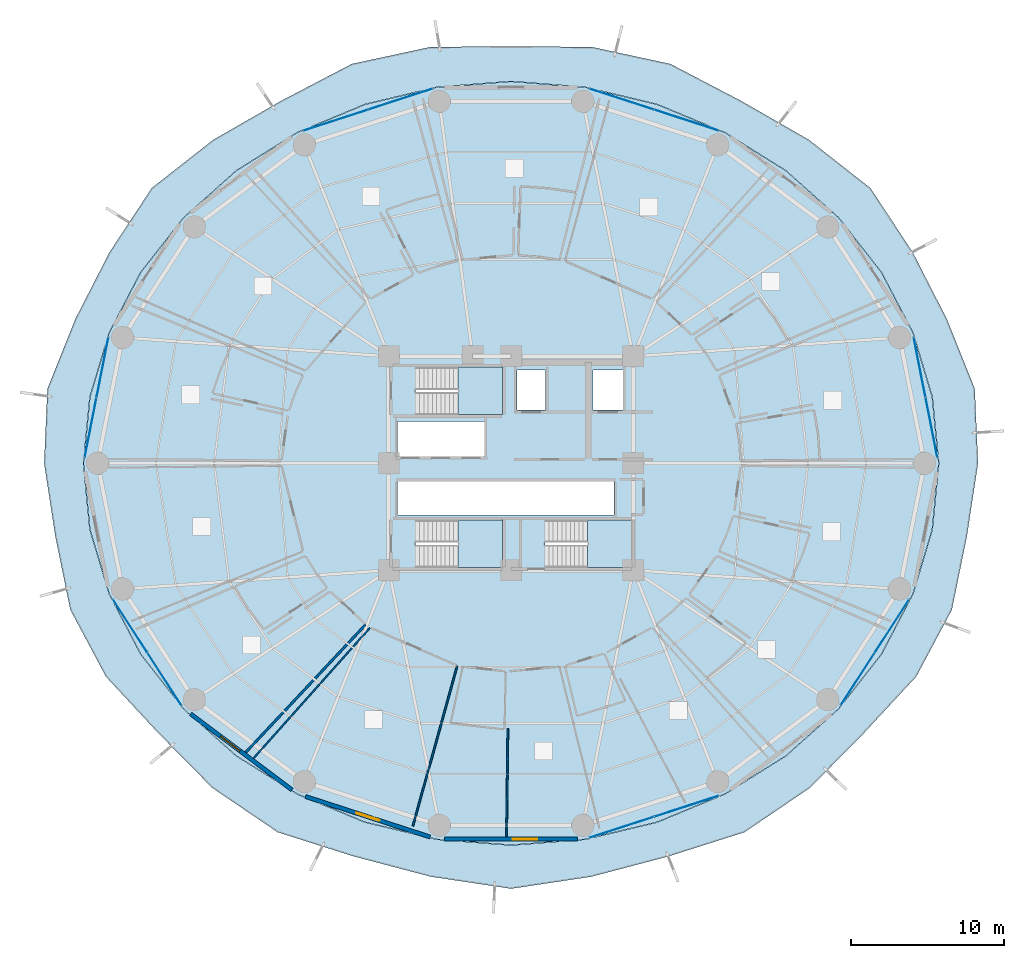
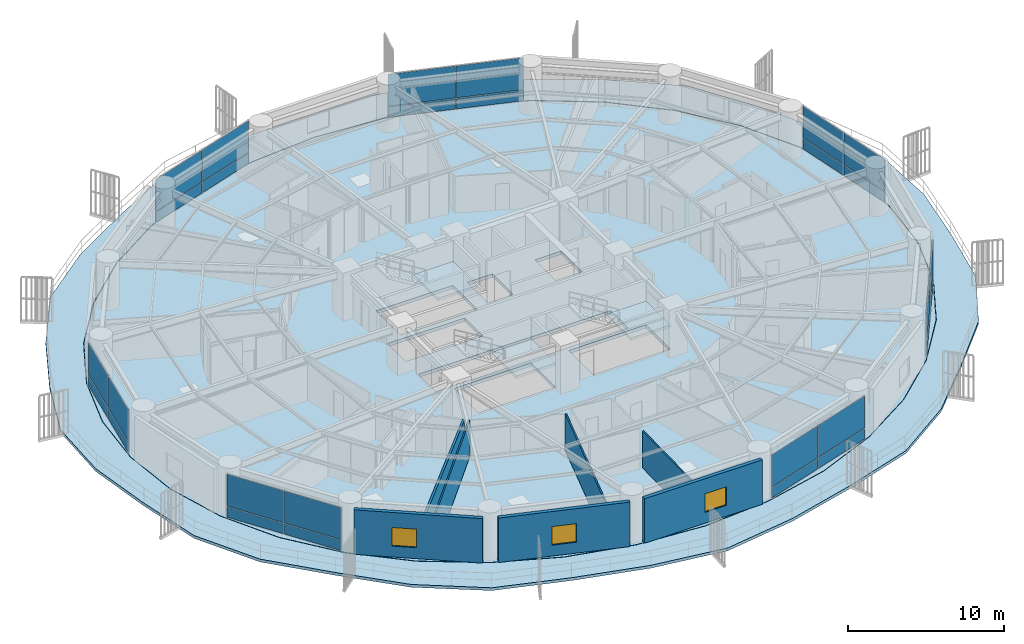
# One storey, part 23 of 33: 28 plates, 7 walls, 5 slabs, 3 windows, 3 openings, 10 elements without a shape of their own.
"""IFC4 building model written with IfcOpenShell, lengths in metres."""

from ifc_helpers import new_model, si_unit, direction, frame, frame_2d, origin, origin_2d, place, context, subcontext, project, spatial, polyline, rectangle, outline, extrude, source, transform, mapped, material, layer, layer_set, type_object, element, fill, aggregate, save


model = new_model("IFC4")

# Units and contexts
model_context = context("Model", 3, precision=1e-05, world=origin(), true_north=direction((0.0, 1.0)))
body_context = subcontext(model_context, "Body", "Model", "MODEL_VIEW")
ifc_project = project(units=[si_unit("LENGTHUNIT", "METRE"), si_unit("AREAUNIT", "SQUARE_METRE"), si_unit("VOLUMEUNIT", "CUBIC_METRE"), si_unit("PLANEANGLEUNIT", "RADIAN"), si_unit("MASSUNIT", "GRAM", prefix="KILO")], contexts=[model_context])

# Site, building, storey
site_placement = place(None, origin())
site = spatial("IfcSite", under=ifc_project, at=site_placement, CompositionType="ELEMENT")
building_placement = place(site_placement, origin())
building = spatial("IfcBuilding", under=site, at=building_placement, Name="Kelanora Arch Commons", CompositionType="ELEMENT")
storey_placement = place(building_placement, frame((0.0, 0.0, 26.25)))
storey = spatial("IfcBuildingStorey", under=building, at=storey_placement, Name="L06", CompositionType="ELEMENT", Elevation=26.25)

# Stair, slab
ifc_material_1 = material(Name="Concrete C40/50", Category="concrete")
stair_type = type_object("IfcStairType", Name="STR-DL-375", PredefinedType="HALF_TURN_STAIR", material=ifc_material_1)
stair_1_placement = place(storey_placement, origin())
stair_1 = element("IfcStair", 1, at=stair_1_placement, inside=storey, type_object=stair_type, Name="L06 ST-T1", PredefinedType="HALF_TURN_STAIR")
ifc_layer_1 = layer(ifc_material_1, 0.199951171875)
ifc_layer_set_1 = layer_set([ifc_layer_1], Name="Concrete C40/50")
slab_type_1 = type_object("IfcSlabType", Name="SLB-STAIR-LND", PredefinedType="LANDING", material=ifc_layer_set_1)
slab_1_placement = place(storey_placement, frame((0.0, 0.0, 1.675048828125)))
slab_1 = element("IfcSlab", 2, at=slab_1_placement, type_object=slab_type_1, Name="ST-T1 landing 1", PredefinedType="LANDING", context=body_context, shape_type="SweptSolid", body=[
    extrude(outline(polyline([(70.52001953125, 61.179931640625), (73.43994140625, 61.179931640625), (73.43994140625, 64.2900390625), (70.52001953125, 64.2900390625), (70.52001953125, 61.179931640625)])), origin(), (0.0, 0.0, 1.0), 0.199951171875),
])
aggregate(stair_1, [slab_1])

stair_2_placement = place(storey_placement, origin())
stair_2 = element("IfcStair", 3, at=stair_2_placement, inside=storey, type_object=stair_type, Name="L06 ST-T2", PredefinedType="HALF_TURN_STAIR")
slab_2_placement = place(storey_placement, frame((0.0, 0.0, 1.675048828125)))
slab_2 = element("IfcSlab", 4, at=slab_2_placement, type_object=slab_type_1, Name="ST-T2 landing 1", PredefinedType="LANDING", context=body_context, shape_type="SweptSolid", body=[
    extrude(outline(polyline([(79.0, 51.179931640625), (81.919921875, 51.179931640625), (81.919921875, 54.2900390625), (79.0, 54.2900390625), (79.0, 51.179931640625)])), origin(), (0.0, 0.0, 1.0), 0.199951171875),
])
aggregate(stair_2, [slab_2])

stair_3_placement = place(storey_placement, origin())
stair_3 = element("IfcStair", 5, at=stair_3_placement, inside=storey, type_object=stair_type, Name="L06 ST-T3", PredefinedType="HALF_TURN_STAIR")
slab_3_placement = place(storey_placement, frame((0.0, 0.0, 1.675048828125)))
slab_3 = element("IfcSlab", 6, at=slab_3_placement, type_object=slab_type_1, Name="ST-T3 landing 1", PredefinedType="LANDING", context=body_context, shape_type="SweptSolid", body=[
    extrude(outline(polyline([(70.52001953125, 51.179931640625), (73.43994140625, 51.179931640625), (73.43994140625, 54.2900390625), (70.52001953125, 54.2900390625), (70.52001953125, 51.179931640625)])), origin(), (0.0, 0.0, 1.0), 0.199951171875),
])
aggregate(stair_3, [slab_3])

# Slabs
ifc_layer_2 = layer(ifc_material_1, 0.260009765625)
ifc_layer_set_2 = layer_set([ifc_layer_2], Name="Concrete C40/50")
slab_type_2 = type_object("IfcSlabType", Name="SLB-TWR-TYP", PredefinedType="FLOOR", material=ifc_layer_set_2)
slab_4_placement = place(storey_placement, frame((0.0, 0.0, -0.260009765625)))
element("IfcSlab", 7, at=slab_4_placement, inside=storey, type_object=slab_type_2, Name="Tower Floor Slab L06", PredefinedType="FLOOR", context=body_context, shape_type="SweptSolid", body=[
    extrude(outline(polyline([(102.0, 58.0), (101.57470703125, 62.34130859375), (100.311279296875, 66.550537109375), (98.248779296875, 70.5), (95.44921875, 74.069580078125), (91.998046875, 77.151123046875), (88.0, 79.650634765625), (83.57666015625, 81.4921875), (78.862060546875, 82.6201171875), (74.0, 83.0), (69.137939453125, 82.6201171875), (64.42333984375, 81.4921875), (60.0, 79.650634765625), (56.001953125, 77.151123046875), (52.55078125, 74.069580078125), (49.751220703125, 70.5), (47.688720703125, 66.550537109375), (46.42529296875, 62.34130859375), (46.0, 58.0), (46.42529296875, 53.65869140625), (47.688720703125, 49.449462890625), (49.751220703125, 45.5), (52.55078125, 41.930419921875), (56.001953125, 38.848876953125), (60.0, 36.349365234375), (64.42333984375, 34.5078125), (69.137939453125, 33.3798828125), (74.0, 33.0), (78.862060546875, 33.3798828125), (83.57666015625, 34.5078125), (88.0, 36.349365234375), (91.998046875, 38.848876953125), (95.44921875, 41.930419921875), (98.248779296875, 45.5), (100.311279296875, 49.449462890625), (101.57470703125, 53.65869140625), (102.0, 58.0)]), holes=[polyline([(73.431884765625, 51.18798828125), (67.72802734375, 51.18798828125), (67.72802734375, 54.281982421875), (73.431884765625, 54.281982421875), (73.431884765625, 51.18798828125)]), polyline([(76.2080078125, 51.18798828125), (76.2080078125, 54.281982421875), (81.912109375, 54.281982421875), (81.912109375, 51.18798828125), (76.2080078125, 51.18798828125)]), polyline([(66.550048828125, 54.60009765625), (66.550048828125, 56.800048828125), (80.75, 56.800048828125), (80.75, 54.60009765625), (66.550048828125, 54.60009765625)]), polyline([(66.550048828125, 58.449951171875), (66.550048828125, 60.75), (72.25, 60.75), (72.25, 58.449951171875), (66.550048828125, 58.449951171875)]), polyline([(67.72802734375, 61.18798828125), (67.72802734375, 64.281982421875), (73.431884765625, 64.281982421875), (73.431884765625, 61.18798828125), (67.72802734375, 61.18798828125)]), polyline([(74.3798828125, 61.47998046875), (74.3798828125, 64.1201171875), (76.260009765625, 64.1201171875), (76.260009765625, 61.47998046875), (74.3798828125, 61.47998046875)]), polyline([(79.3798828125, 61.47998046875), (79.3798828125, 64.1201171875), (81.320068359375, 64.1201171875), (81.320068359375, 61.47998046875), (79.3798828125, 61.47998046875)])]), origin(), (0.0, 0.0, 1.0), 0.260009765625),
])
ifc_layer_3 = layer(ifc_material_1, 0.219970703125)
ifc_layer_set_3 = layer_set([ifc_layer_3], Name="Concrete C40/50")
slab_type_3 = type_object("IfcSlabType", Name="SLB-WAVE-BAL", PredefinedType="FLOOR", material=ifc_layer_set_3)
slab_5_placement = place(storey_placement, frame((0.0, 0.0, -0.219970703125)))
element("IfcSlab", 8, at=slab_5_placement, inside=storey, type_object=slab_type_3, Name="Sinusoidal Wave Balcony Slab L06", PredefinedType="FLOOR", context=body_context, shape_type="SweptSolid", body=[
    extrude(outline(polyline([(104.58251953125, 58.0), (104.3662109375, 62.892578125), (102.5361328125, 67.45751953125), (100.2998046875, 71.826416015625), (97.531982421875, 76.027099609375), (93.517333984375, 79.178955078125), (89.072265625, 81.730712890625), (84.44091796875, 84.15234375), (79.27880859375, 85.265869140625), (74.0, 85.302490234375), (68.72119140625, 85.265869140625), (63.55908203125, 84.15234375), (58.927734375, 81.730712890625), (54.482666015625, 79.178955078125), (50.468017578125, 76.027099609375), (47.7001953125, 71.826416015625), (45.4638671875, 67.45751953125), (43.6337890625, 62.892578125), (43.41748046875, 58.0), (44.14990234375, 53.20947265625), (45.130615234375, 48.40673828125), (47.465087890625, 44.021728515625), (50.869873046875, 40.3505859375), (54.42431640625, 36.7431640625), (58.70556640625, 33.83837890625), (63.691650390625, 32.255615234375), (68.751220703125, 30.92333984375), (74.0, 30.137451171875), (79.248779296875, 30.92333984375), (84.308349609375, 32.255615234375), (89.29443359375, 33.83837890625), (93.57568359375, 36.7431640625), (97.130126953125, 40.3505859375), (100.534912109375, 44.021728515625), (102.869384765625, 48.40673828125), (103.85009765625, 53.20947265625), (104.58251953125, 58.0)]), holes=[polyline([(101.59423828125, 53.6552734375), (100.330078125, 49.442626953125), (98.26611328125, 45.489990234375), (95.464599609375, 41.91748046875), (92.010986328125, 38.83349609375), (88.010009765625, 36.33203125), (83.58349609375, 34.489013671875), (78.865478515625, 33.360107421875), (74.0, 32.97998046875), (69.134521484375, 33.360107421875), (64.41650390625, 34.489013671875), (59.989990234375, 36.33203125), (55.989013671875, 38.83349609375), (52.535400390625, 41.91748046875), (49.73388671875, 45.489990234375), (47.669921875, 49.442626953125), (46.40576171875, 53.6552734375), (45.97998046875, 58.0), (46.40576171875, 62.3447265625), (47.669921875, 66.557373046875), (49.73388671875, 70.510009765625), (52.535400390625, 74.08251953125), (55.989013671875, 77.16650390625), (59.989990234375, 79.66796875), (64.41650390625, 81.510986328125), (69.134521484375, 82.639892578125), (74.0, 83.02001953125), (78.865478515625, 82.639892578125), (83.58349609375, 81.510986328125), (88.010009765625, 79.66796875), (92.010986328125, 77.16650390625), (95.464599609375, 74.08251953125), (98.26611328125, 70.510009765625), (100.330078125, 66.557373046875), (101.59423828125, 62.3447265625), (102.02001953125, 58.0), (101.59423828125, 53.6552734375)])]), origin(), (0.0, 0.0, 1.0), 0.219970703125),
])

# Curtain wall, plates
ifc_material_2 = material(Name="Terracotta ceramic-fritted low-E glass and aluminium", Category="masonry")
ifc_layer_4 = layer(ifc_material_2, 0.159912109375)
ifc_layer_set_4 = layer_set([ifc_layer_4], Name="Terracotta ceramic-fritted low-E glass and aluminium")
curtain_wall_type = type_object("IfcCurtainWallType", Name="CW-SYS-01", PredefinedType="NOTDEFINED", material=ifc_layer_set_4)
curtain_wall_1_placement = place(storey_placement, origin())
curtain_wall_1 = element("IfcCurtainWall", 9, at=curtain_wall_1_placement, inside=storey, type_object=curtain_wall_type, Name="Unitised Curtain Wall L06-B00", PredefinedType="NOTDEFINED")
ifc_material_3 = material(Name="Terracotta ceramic-fritted double glazing", Category="masonry")
ifc_layer_5 = layer(ifc_material_3, 0.028076171875)
ifc_layer_set_5 = layer_set([ifc_layer_5], Name="Terracotta ceramic-fritted double glazing")
plate_type = type_object("IfcPlateType", Name="CWP-FRIT", PredefinedType="CURTAIN_PANEL", material=ifc_layer_set_5)
shared_shape_1 = source(origin(), body_context, "Body", "SweptSolid", [
    extrude(rectangle(XDim=3.9482421875, YDim=0.028076171875, at=origin_2d()), origin(), (0.0, 0.0, 1.0), 0.81005859375),
])
plate_1_placement = place(storey_placement, frame((101.536865234375, 60.34521484375, 0.06005859375), z_axis=(0.0, 0.0, 1.0), x_axis=(-0.193744048498, 0.981052110579, 0.0)))
plate_1 = element("IfcPlate", 10, at=plate_1_placement, type_object=plate_type, Name="CW-01 panel 1.1", PredefinedType="CURTAIN_PANEL", context=body_context, shape_type="MappedRepresentation", body=[
    mapped(shared_shape_1, transform((0.0, 0.0, 0.0), scale=1.0)),
])
plate_2_placement = place(storey_placement, frame((100.76025390625, 64.277587890625, 0.06005859375), z_axis=(0.0, 0.0, 1.0), x_axis=(-0.193744048498, 0.981052110579, 0.0)))
plate_2 = element("IfcPlate", 11, at=plate_2_placement, type_object=plate_type, Name="CW-01 panel 2.1", PredefinedType="CURTAIN_PANEL", context=body_context, shape_type="MappedRepresentation", body=[
    mapped(shared_shape_1, transform((0.0, 0.0, 0.0), scale=1.0)),
])

curtain_wall_2_placement = place(storey_placement, origin())
curtain_wall_2 = element("IfcCurtainWall", 12, at=curtain_wall_2_placement, inside=storey, type_object=curtain_wall_type, Name="Unitised Curtain Wall L06-B08", PredefinedType="NOTDEFINED")
plate_3_placement = place(storey_placement, frame((47.23974609375, 64.277587890625, 0.06005859375), z_axis=(0.0, 0.0, 1.0), x_axis=(-0.193744048498, -0.981052110579, 0.0)))
plate_3 = element("IfcPlate", 13, at=plate_3_placement, type_object=plate_type, Name="CW-01 panel 1.1", PredefinedType="CURTAIN_PANEL", context=body_context, shape_type="MappedRepresentation", body=[
    mapped(shared_shape_1, transform((0.0, 0.0, 0.0), scale=1.0)),
])
plate_4_placement = place(storey_placement, frame((46.463134765625, 60.34521484375, 0.06005859375), z_axis=(0.0, 0.0, 1.0), x_axis=(-0.193744048498, -0.981052110579, 0.0)))
plate_4 = element("IfcPlate", 14, at=plate_4_placement, type_object=plate_type, Name="CW-01 panel 2.1", PredefinedType="CURTAIN_PANEL", context=body_context, shape_type="MappedRepresentation", body=[
    mapped(shared_shape_1, transform((0.0, 0.0, 0.0), scale=1.0)),
])

# Plate
shared_shape_2 = source(origin(), body_context, "Body", "SweptSolid", [
    extrude(rectangle(XDim=3.9482421875, YDim=0.028076171875, at=origin_2d()), origin(), (0.0, 0.0, 1.0), 2.485107421875),
])
plate_5_placement = place(storey_placement, frame((101.536865234375, 60.34521484375, 0.93017578125), z_axis=(0.0, 0.0, 1.0), x_axis=(-0.193744048498, 0.981052110579, 0.0)))
plate_5 = element("IfcPlate", 15, at=plate_5_placement, type_object=plate_type, Name="CW-01 panel 1.2", PredefinedType="CURTAIN_PANEL", context=body_context, shape_type="MappedRepresentation", body=[
    mapped(shared_shape_2, transform((0.0, 0.0, 0.0), scale=1.0)),
])

plate_6_placement = place(storey_placement, frame((100.76025390625, 64.277587890625, 0.93017578125), z_axis=(0.0, 0.0, 1.0), x_axis=(-0.193744048498, 0.981052110579, 0.0)))
plate_6 = element("IfcPlate", 16, at=plate_6_placement, type_object=plate_type, Name="CW-01 panel 2.2", PredefinedType="CURTAIN_PANEL", context=body_context, shape_type="MappedRepresentation", body=[
    mapped(shared_shape_2, transform((0.0, 0.0, 0.0), scale=1.0)),
])

aggregate(curtain_wall_1, [plate_1, plate_5, plate_2, plate_6])

plate_7_placement = place(storey_placement, frame((47.23974609375, 64.277587890625, 0.93017578125), z_axis=(0.0, 0.0, 1.0), x_axis=(-0.193744048498, -0.981052110579, 0.0)))
plate_7 = element("IfcPlate", 17, at=plate_7_placement, type_object=plate_type, Name="CW-01 panel 1.2", PredefinedType="CURTAIN_PANEL", context=body_context, shape_type="MappedRepresentation", body=[
    mapped(shared_shape_2, transform((0.0, 0.0, 0.0), scale=1.0)),
])

plate_8_placement = place(storey_placement, frame((46.463134765625, 60.34521484375, 0.93017578125), z_axis=(0.0, 0.0, 1.0), x_axis=(-0.193744048498, -0.981052110579, 0.0)))
plate_8 = element("IfcPlate", 18, at=plate_8_placement, type_object=plate_type, Name="CW-01 panel 2.2", PredefinedType="CURTAIN_PANEL", context=body_context, shape_type="MappedRepresentation", body=[
    mapped(shared_shape_2, transform((0.0, 0.0, 0.0), scale=1.0)),
])

aggregate(curtain_wall_2, [plate_3, plate_7, plate_4, plate_8])

# Curtain wall, plates
curtain_wall_3_placement = place(storey_placement, origin())
curtain_wall_3 = element("IfcCurtainWall", 19, at=curtain_wall_3_placement, inside=storey, type_object=curtain_wall_type, Name="Unitised Curtain Wall L06-B03", PredefinedType="NOTDEFINED")
shared_shape_3 = source(origin(), body_context, "Body", "SweptSolid", [
    extrude(rectangle(XDim=4.39453125, YDim=0.028076171875, at=origin_2d()), origin(), (0.0, 0.0, 1.0), 0.81005859375),
])
plate_9_placement = place(storey_placement, frame((85.4892578125, 80.466552734375, 0.06005859375), z_axis=(0.0, 0.0, 1.0), x_axis=(-0.951043326793, 0.30905758454, 0.0)))
plate_9 = element("IfcPlate", 20, at=plate_9_placement, type_object=plate_type, Name="CW-01 panel 1.1", PredefinedType="CURTAIN_PANEL", context=body_context, shape_type="MappedRepresentation", body=[
    mapped(shared_shape_3, transform((0.0, 0.0, 0.0), scale=1.0)),
])
plate_10_placement = place(storey_placement, frame((81.252685546875, 81.84326171875, 0.06005859375), z_axis=(0.0, 0.0, 1.0), x_axis=(-0.951043326793, 0.30905758454, 0.0)))
plate_10 = element("IfcPlate", 21, at=plate_10_placement, type_object=plate_type, Name="CW-01 panel 2.1", PredefinedType="CURTAIN_PANEL", context=body_context, shape_type="MappedRepresentation", body=[
    mapped(shared_shape_3, transform((0.0, 0.0, 0.0), scale=1.0)),
])

curtain_wall_4_placement = place(storey_placement, origin())
curtain_wall_4 = element("IfcCurtainWall", 22, at=curtain_wall_4_placement, inside=storey, type_object=curtain_wall_type, Name="Unitised Curtain Wall L06-B05", PredefinedType="NOTDEFINED")
plate_11_placement = place(storey_placement, frame((66.747314453125, 81.84326171875, 0.06005859375), z_axis=(0.0, 0.0, 1.0), x_axis=(-0.951043326793, -0.30905758454, 0.0)))
plate_11 = element("IfcPlate", 23, at=plate_11_placement, type_object=plate_type, Name="CW-01 panel 1.1", PredefinedType="CURTAIN_PANEL", context=body_context, shape_type="MappedRepresentation", body=[
    mapped(shared_shape_3, transform((0.0, 0.0, 0.0), scale=1.0)),
])
plate_12_placement = place(storey_placement, frame((62.5107421875, 80.466552734375, 0.06005859375), z_axis=(0.0, 0.0, 1.0), x_axis=(-0.951043326793, -0.30905758454, 0.0)))
plate_12 = element("IfcPlate", 24, at=plate_12_placement, type_object=plate_type, Name="CW-01 panel 2.1", PredefinedType="CURTAIN_PANEL", context=body_context, shape_type="MappedRepresentation", body=[
    mapped(shared_shape_3, transform((0.0, 0.0, 0.0), scale=1.0)),
])

curtain_wall_5_placement = place(storey_placement, origin())
curtain_wall_5 = element("IfcCurtainWall", 25, at=curtain_wall_5_placement, inside=storey, type_object=curtain_wall_type, Name="Unitised Curtain Wall L06-B14", PredefinedType="NOTDEFINED")
plate_13_placement = place(storey_placement, frame((81.252685546875, 34.15673828125, 0.06005859375), z_axis=(0.0, 0.0, 1.0), x_axis=(0.951043326793, 0.30905758454, 0.0)))
plate_13 = element("IfcPlate", 26, at=plate_13_placement, type_object=plate_type, Name="CW-01 panel 1.1", PredefinedType="CURTAIN_PANEL", context=body_context, shape_type="MappedRepresentation", body=[
    mapped(shared_shape_3, transform((0.0, 0.0, 0.0), scale=1.0)),
])
plate_14_placement = place(storey_placement, frame((85.4892578125, 35.533447265625, 0.06005859375), z_axis=(0.0, 0.0, 1.0), x_axis=(0.951043326793, 0.30905758454, 0.0)))
plate_14 = element("IfcPlate", 27, at=plate_14_placement, type_object=plate_type, Name="CW-01 panel 2.1", PredefinedType="CURTAIN_PANEL", context=body_context, shape_type="MappedRepresentation", body=[
    mapped(shared_shape_3, transform((0.0, 0.0, 0.0), scale=1.0)),
])

# Plate
shared_shape_4 = source(origin(), body_context, "Body", "SweptSolid", [
    extrude(rectangle(XDim=4.39453125, YDim=0.028076171875, at=origin_2d()), origin(), (0.0, 0.0, 1.0), 2.485107421875),
])
plate_15_placement = place(storey_placement, frame((85.4892578125, 80.466552734375, 0.93017578125), z_axis=(0.0, 0.0, 1.0), x_axis=(-0.951043326793, 0.30905758454, 0.0)))
plate_15 = element("IfcPlate", 28, at=plate_15_placement, type_object=plate_type, Name="CW-01 panel 1.2", PredefinedType="CURTAIN_PANEL", context=body_context, shape_type="MappedRepresentation", body=[
    mapped(shared_shape_4, transform((0.0, 0.0, 0.0), scale=1.0)),
])

plate_16_placement = place(storey_placement, frame((81.252685546875, 81.84326171875, 0.93017578125), z_axis=(0.0, 0.0, 1.0), x_axis=(-0.951043326793, 0.30905758454, 0.0)))
plate_16 = element("IfcPlate", 29, at=plate_16_placement, type_object=plate_type, Name="CW-01 panel 2.2", PredefinedType="CURTAIN_PANEL", context=body_context, shape_type="MappedRepresentation", body=[
    mapped(shared_shape_4, transform((0.0, 0.0, 0.0), scale=1.0)),
])

aggregate(curtain_wall_3, [plate_9, plate_15, plate_10, plate_16])

plate_17_placement = place(storey_placement, frame((66.747314453125, 81.84326171875, 0.93017578125), z_axis=(0.0, 0.0, 1.0), x_axis=(-0.951043326793, -0.30905758454, 0.0)))
plate_17 = element("IfcPlate", 30, at=plate_17_placement, type_object=plate_type, Name="CW-01 panel 1.2", PredefinedType="CURTAIN_PANEL", context=body_context, shape_type="MappedRepresentation", body=[
    mapped(shared_shape_4, transform((0.0, 0.0, 0.0), scale=1.0)),
])

plate_18_placement = place(storey_placement, frame((62.5107421875, 80.466552734375, 0.93017578125), z_axis=(0.0, 0.0, 1.0), x_axis=(-0.951043326793, -0.30905758454, 0.0)))
plate_18 = element("IfcPlate", 31, at=plate_18_placement, type_object=plate_type, Name="CW-01 panel 2.2", PredefinedType="CURTAIN_PANEL", context=body_context, shape_type="MappedRepresentation", body=[
    mapped(shared_shape_4, transform((0.0, 0.0, 0.0), scale=1.0)),
])

aggregate(curtain_wall_4, [plate_11, plate_17, plate_12, plate_18])

plate_19_placement = place(storey_placement, frame((81.252685546875, 34.15673828125, 0.93017578125), z_axis=(0.0, 0.0, 1.0), x_axis=(0.951043326793, 0.30905758454, 0.0)))
plate_19 = element("IfcPlate", 32, at=plate_19_placement, type_object=plate_type, Name="CW-01 panel 1.2", PredefinedType="CURTAIN_PANEL", context=body_context, shape_type="MappedRepresentation", body=[
    mapped(shared_shape_4, transform((0.0, 0.0, 0.0), scale=1.0)),
])

plate_20_placement = place(storey_placement, frame((85.4892578125, 35.533447265625, 0.93017578125), z_axis=(0.0, 0.0, 1.0), x_axis=(0.951043326793, 0.30905758454, 0.0)))
plate_20 = element("IfcPlate", 33, at=plate_20_placement, type_object=plate_type, Name="CW-01 panel 2.2", PredefinedType="CURTAIN_PANEL", context=body_context, shape_type="MappedRepresentation", body=[
    mapped(shared_shape_4, transform((0.0, 0.0, 0.0), scale=1.0)),
])

aggregate(curtain_wall_5, [plate_13, plate_19, plate_14, plate_20])

# Curtain wall, plates
curtain_wall_6_placement = place(storey_placement, origin())
curtain_wall_6 = element("IfcCurtainWall", 34, at=curtain_wall_6_placement, inside=storey, type_object=curtain_wall_type, Name="Unitised Curtain Wall L06-B10", PredefinedType="NOTDEFINED")
shared_shape_5 = source(origin(), body_context, "Body", "SweptSolid", [
    extrude(rectangle(XDim=4.06787109375, YDim=0.028076171875, at=origin_2d()), origin(), (0.0, 0.0, 1.0), 0.81005859375),
])
plate_21_placement = place(storey_placement, frame((49.04833984375, 47.346435546875, 0.06005859375), z_axis=(0.0, 0.0, 1.0), x_axis=(0.543004441812, -0.83972982332, 0.0)))
plate_21 = element("IfcPlate", 35, at=plate_21_placement, type_object=plate_type, Name="CW-01 panel 1.1", PredefinedType="CURTAIN_PANEL", context=body_context, shape_type="MappedRepresentation", body=[
    mapped(shared_shape_5, transform((0.0, 0.0, 0.0), scale=1.0)),
])
plate_22_placement = place(storey_placement, frame((51.289794921875, 43.880126953125, 0.06005859375), z_axis=(0.0, 0.0, 1.0), x_axis=(0.543004441812, -0.83972982332, 0.0)))
plate_22 = element("IfcPlate", 36, at=plate_22_placement, type_object=plate_type, Name="CW-01 panel 2.1", PredefinedType="CURTAIN_PANEL", context=body_context, shape_type="MappedRepresentation", body=[
    mapped(shared_shape_5, transform((0.0, 0.0, 0.0), scale=1.0)),
])

curtain_wall_7_placement = place(storey_placement, origin())
curtain_wall_7 = element("IfcCurtainWall", 37, at=curtain_wall_7_placement, inside=storey, type_object=curtain_wall_type, Name="Unitised Curtain Wall L06-B16", PredefinedType="NOTDEFINED")
plate_23_placement = place(storey_placement, frame((96.710205078125, 43.880126953125, 0.06005859375), z_axis=(0.0, 0.0, 1.0), x_axis=(0.543004441812, 0.83972982332, 0.0)))
plate_23 = element("IfcPlate", 38, at=plate_23_placement, type_object=plate_type, Name="CW-01 panel 1.1", PredefinedType="CURTAIN_PANEL", context=body_context, shape_type="MappedRepresentation", body=[
    mapped(shared_shape_5, transform((0.0, 0.0, 0.0), scale=1.0)),
])
plate_24_placement = place(storey_placement, frame((98.95166015625, 47.346435546875, 0.06005859375), z_axis=(0.0, 0.0, 1.0), x_axis=(0.543004441812, 0.83972982332, 0.0)))
plate_24 = element("IfcPlate", 39, at=plate_24_placement, type_object=plate_type, Name="CW-01 panel 2.1", PredefinedType="CURTAIN_PANEL", context=body_context, shape_type="MappedRepresentation", body=[
    mapped(shared_shape_5, transform((0.0, 0.0, 0.0), scale=1.0)),
])

# Plate
shared_shape_6 = source(origin(), body_context, "Body", "SweptSolid", [
    extrude(rectangle(XDim=4.06787109375, YDim=0.028076171875, at=origin_2d()), origin(), (0.0, 0.0, 1.0), 2.485107421875),
])
plate_25_placement = place(storey_placement, frame((49.04833984375, 47.346435546875, 0.93017578125), z_axis=(0.0, 0.0, 1.0), x_axis=(0.543004441812, -0.83972982332, 0.0)))
plate_25 = element("IfcPlate", 40, at=plate_25_placement, type_object=plate_type, Name="CW-01 panel 1.2", PredefinedType="CURTAIN_PANEL", context=body_context, shape_type="MappedRepresentation", body=[
    mapped(shared_shape_6, transform((0.0, 0.0, 0.0), scale=1.0)),
])

plate_26_placement = place(storey_placement, frame((51.289794921875, 43.880126953125, 0.93017578125), z_axis=(0.0, 0.0, 1.0), x_axis=(0.543004441812, -0.83972982332, 0.0)))
plate_26 = element("IfcPlate", 41, at=plate_26_placement, type_object=plate_type, Name="CW-01 panel 2.2", PredefinedType="CURTAIN_PANEL", context=body_context, shape_type="MappedRepresentation", body=[
    mapped(shared_shape_6, transform((0.0, 0.0, 0.0), scale=1.0)),
])

aggregate(curtain_wall_6, [plate_21, plate_25, plate_22, plate_26])

plate_27_placement = place(storey_placement, frame((96.710205078125, 43.880126953125, 0.93017578125), z_axis=(0.0, 0.0, 1.0), x_axis=(0.543004441812, 0.83972982332, 0.0)))
plate_27 = element("IfcPlate", 42, at=plate_27_placement, type_object=plate_type, Name="CW-01 panel 1.2", PredefinedType="CURTAIN_PANEL", context=body_context, shape_type="MappedRepresentation", body=[
    mapped(shared_shape_6, transform((0.0, 0.0, 0.0), scale=1.0)),
])

plate_28_placement = place(storey_placement, frame((98.95166015625, 47.346435546875, 0.93017578125), z_axis=(0.0, 0.0, 1.0), x_axis=(0.543004441812, 0.83972982332, 0.0)))
plate_28 = element("IfcPlate", 43, at=plate_28_placement, type_object=plate_type, Name="CW-01 panel 2.2", PredefinedType="CURTAIN_PANEL", context=body_context, shape_type="MappedRepresentation", body=[
    mapped(shared_shape_6, transform((0.0, 0.0, 0.0), scale=1.0)),
])

aggregate(curtain_wall_7, [plate_23, plate_27, plate_24, plate_28])

# Wall
ifc_material_4 = material(Name="Autoclaved aerated concrete blockwork with fire plaster", Category="masonry")
ifc_layer_6 = layer(ifc_material_4, 0.14990234375)
ifc_layer_set_6 = layer_set([ifc_layer_6], Name="Autoclaved aerated concrete blockwork with fire plaster")
wall_type_1 = type_object("IfcWallType", Name="W-COMP-150", PredefinedType="PARTITIONING", material=ifc_layer_set_6)
wall_1_placement = place(storey_placement, frame((64.45849609375, 47.418701171875, 0.0), z_axis=(0.0, 0.0, 1.0), x_axis=(-0.684261294523, -0.729236916796, 0.0)))
element("IfcWall", 44, at=wall_1_placement, inside=storey, type_object=wall_type_1, Name="Co-Living Studio L06-09 Enclosure Partition 2", PredefinedType="PARTITIONING", context=body_context, shape_type="SweptSolid", body=[
    extrude(rectangle(XDim=11.4375, YDim=0.14990234375, at=frame_2d((5.71875, 0.0))), origin(), (0.0, 0.0, 1.0), 2.875),
])

# Wall, opening, window
ifc_material_5 = material(Name="Precast concrete C40/50 with terracotta rainscreen", Category="masonry")
ifc_layer_7 = layer(ifc_material_5, 0.260009765625)
ifc_layer_set_7 = layer_set([ifc_layer_7], Name="Precast concrete C40/50 with terracotta rainscreen")
wall_type_2 = type_object("IfcWallType", Name="W-EXT-TC", PredefinedType="SOLIDWALL", material=ifc_layer_set_7)
wall_2_placement = place(storey_placement, frame((53.01611328125, 41.581787109375, 0.0), z_axis=(0.0, 0.0, 1.0), x_axis=(0.80030733173, -0.599590005569, 0.0)))
wall_2 = element("IfcWall", 45, at=wall_2_placement, inside=storey, type_object=wall_type_2, Name="Terracotta Exterior Wall L06-B11", PredefinedType="SOLIDWALL", context=body_context, shape_type="SweptSolid", body=[
    extrude(rectangle(XDim=8.29052734375, YDim=0.260009765625, at=frame_2d((4.145263671875, 0.0))), origin(), (0.0, 0.0, 1.0), 3.47509765625),
])
opening_1_placement = place(wall_2_placement, frame((2.445068359375, 0.0, 0.85009765625)))
opening_1 = element("IfcOpeningElement", 46, at=opening_1_placement, cuts=wall_2, Name="Opening WN-01", PredefinedType="OPENING", context=body_context, shape_type="SweptSolid", body=[
    extrude(rectangle(XDim=1.60009765625, YDim=1.449951171875, at=frame_2d((0.800048828125, 0.72509765625))), frame((0.0, 0.14013671875, 0.0), z_axis=(0.0, -1.0, 0.0), x_axis=(1.0, 0.0, 0.0)), (0.0, 0.0, 1.0), 0.280029296875),
])
ifc_material_6 = material(Name="Terracotta-anodised aluminium frame with operable low-E glazing", Category="masonry")
window_type = type_object("IfcWindowType", Name="WIN-CL-18", PartitioningType="DOUBLE_PANEL_VERTICAL", PredefinedType="WINDOW", material=ifc_material_6)
window_1_placement = place(opening_1_placement, origin())
window_1 = element("IfcWindow", 47, at=window_1_placement, inside=storey, type_object=window_type, Name="Co-Living Operable Window L06-B11", OverallHeight=1.449951171875, OverallWidth=1.60009765625, PartitioningType="SINGLE_PANEL", PredefinedType="WINDOW", context=body_context, shape_type="SweptSolid", body=[
    extrude(rectangle(XDim=1.60009765625, YDim=1.449951171875, at=frame_2d((0.800048828125, 0.72509765625))), frame((0.0, 0.030029296875, 0.0), z_axis=(0.0, -1.0, 0.0), x_axis=(1.0, 0.0, 0.0)), (0.0, 0.0, 1.0), 0.06005859375),
])
fill(opening_1, window_1)

wall_3_placement = place(storey_placement, frame((60.5263671875, 36.178466796875, 0.0), z_axis=(0.0, 0.0, 1.0), x_axis=(0.951039914291, -0.309068085421, 0.0)))
wall_3 = element("IfcWall", 48, at=wall_3_placement, inside=storey, type_object=wall_type_2, Name="Terracotta Exterior Wall L06-B12", PredefinedType="SOLIDWALL", context=body_context, shape_type="SweptSolid", body=[
    extrude(rectangle(XDim=8.593505859375, YDim=0.260009765625, at=frame_2d((4.296875, 0.0))), origin(), (0.0, 0.0, 1.0), 3.47509765625),
])
opening_2_placement = place(wall_3_placement, frame((3.4970703125, 0.0, 0.85009765625)))
opening_2 = element("IfcOpeningElement", 49, at=opening_2_placement, cuts=wall_3, Name="Opening WN-01", PredefinedType="OPENING", context=body_context, shape_type="SweptSolid", body=[
    extrude(rectangle(XDim=1.60009765625, YDim=1.449951171875, at=frame_2d((0.800048828125, 0.72509765625))), frame((0.0, 0.14013671875, 0.0), z_axis=(0.0, -1.0, 0.0), x_axis=(1.0, 0.0, 0.0)), (0.0, 0.0, 1.0), 0.280029296875),
])
window_2_placement = place(opening_2_placement, origin())
window_2 = element("IfcWindow", 50, at=window_2_placement, inside=storey, type_object=window_type, Name="Co-Living Operable Window L06-B12", OverallHeight=1.449951171875, OverallWidth=1.60009765625, PartitioningType="SINGLE_PANEL", PredefinedType="WINDOW", context=body_context, shape_type="SweptSolid", body=[
    extrude(rectangle(XDim=1.60009765625, YDim=1.449951171875, at=frame_2d((0.800048828125, 0.72509765625))), frame((0.0, 0.030029296875, 0.0), z_axis=(0.0, -1.0, 0.0), x_axis=(1.0, 0.0, 0.0)), (0.0, 0.0, 1.0), 0.06005859375),
])
fill(opening_2, window_2)

wall_4_placement = place(storey_placement, frame((69.64404296875, 33.3798828125, 0.0), z_axis=(0.0, 0.0, 1.0), x_axis=(1.0, 0.0, 0.0)))
wall_4 = element("IfcWall", 51, at=wall_4_placement, inside=storey, type_object=wall_type_2, Name="Terracotta Exterior Wall L06-B13", PredefinedType="SOLIDWALL", context=body_context, shape_type="SweptSolid", body=[
    extrude(rectangle(XDim=8.7119140625, YDim=0.260009765625, at=frame_2d((4.35595703125, 0.0))), origin(), (0.0, 0.0, 1.0), 3.47509765625),
])
opening_3_placement = place(wall_4_placement, frame((4.4560546875, 0.0, 0.85009765625)))
opening_3 = element("IfcOpeningElement", 52, at=opening_3_placement, cuts=wall_4, Name="Opening WN-01", PredefinedType="OPENING", context=body_context, shape_type="SweptSolid", body=[
    extrude(rectangle(XDim=1.60009765625, YDim=1.449951171875, at=frame_2d((0.800048828125, 0.72509765625))), frame((0.0, 0.14013671875, 0.0), z_axis=(0.0, -1.0, 0.0), x_axis=(1.0, 0.0, 0.0)), (0.0, 0.0, 1.0), 0.280029296875),
])
window_3_placement = place(opening_3_placement, origin())
window_3 = element("IfcWindow", 53, at=window_3_placement, inside=storey, type_object=window_type, Name="Co-Living Operable Window L06-B13", OverallHeight=1.449951171875, OverallWidth=1.60009765625, PartitioningType="SINGLE_PANEL", PredefinedType="WINDOW", context=body_context, shape_type="SweptSolid", body=[
    extrude(rectangle(XDim=1.60009765625, YDim=1.449951171875, at=frame_2d((0.800048828125, 0.72509765625))), frame((0.0, 0.030029296875, 0.0), z_axis=(0.0, -1.0, 0.0), x_axis=(1.0, 0.0, 0.0)), (0.0, 0.0, 1.0), 0.06005859375),
])
fill(opening_3, window_3)

# Walls
ifc_material_7 = material(Name="Lightweight fire-rated acoustic stud partition")
ifc_layer_8 = layer(ifc_material_7, 0.10009765625)
ifc_layer_set_8 = layer_set([ifc_layer_8], Name="Lightweight fire-rated acoustic stud partition")
wall_type_3 = type_object("IfcWallType", Name="W-PART-100", PredefinedType="PARTITIONING", material=ifc_layer_set_8)
wall_5_placement = place(storey_placement, frame((70.46630859375, 44.71142578125, 0.0), z_axis=(0.0, 0.0, 1.0), x_axis=(-0.26671307518, -0.963775977875, 0.0)))
element("IfcWall", 54, at=wall_5_placement, inside=storey, type_object=wall_type_3, Name="Quiet Seminar Study Room L06-10 Enclosure Partition 2", PredefinedType="PARTITIONING", context=body_context, shape_type="SweptSolid", body=[
    extrude(rectangle(XDim=10.864501953125, YDim=0.10009765625, at=frame_2d((5.43212890625, 0.0))), origin(), (0.0, 0.0, 1.0), 2.875),
])
wall_6_placement = place(storey_placement, frame((57.156494140625, 38.705810546875, 0.0), z_axis=(0.0, 0.0, 1.0), x_axis=(0.66580890104, 0.746122313897, 0.0)))
element("IfcWall", 55, at=wall_6_placement, inside=storey, type_object=wall_type_3, Name="Quiet Seminar Study Room L06-10 Enclosure Partition 4", PredefinedType="PARTITIONING", context=body_context, shape_type="SweptSolid", body=[
    extrude(rectangle(XDim=11.3994140625, YDim=0.10009765625, at=frame_2d((5.69970703125, 0.0))), origin(), (0.0, 0.0, 1.0), 2.875),
])
wall_7_placement = place(storey_placement, frame((73.701416015625, 33.56103515625, 0.0), z_axis=(0.0, 0.0, 1.0), x_axis=(0.012537113793, 0.9999214073, 0.0)))
element("IfcWall", 56, at=wall_7_placement, inside=storey, type_object=wall_type_3, Name="Quiet Reading Carrel L06-11 Enclosure Partition 4", PredefinedType="PARTITIONING", context=body_context, shape_type="SweptSolid", body=[
    extrude(rectangle(XDim=7.04931640625, YDim=0.10009765625, at=frame_2d((3.524658203125, 0.0))), origin(), (0.0, 0.0, 1.0), 2.875),
])

save(model, "model.ifc")
